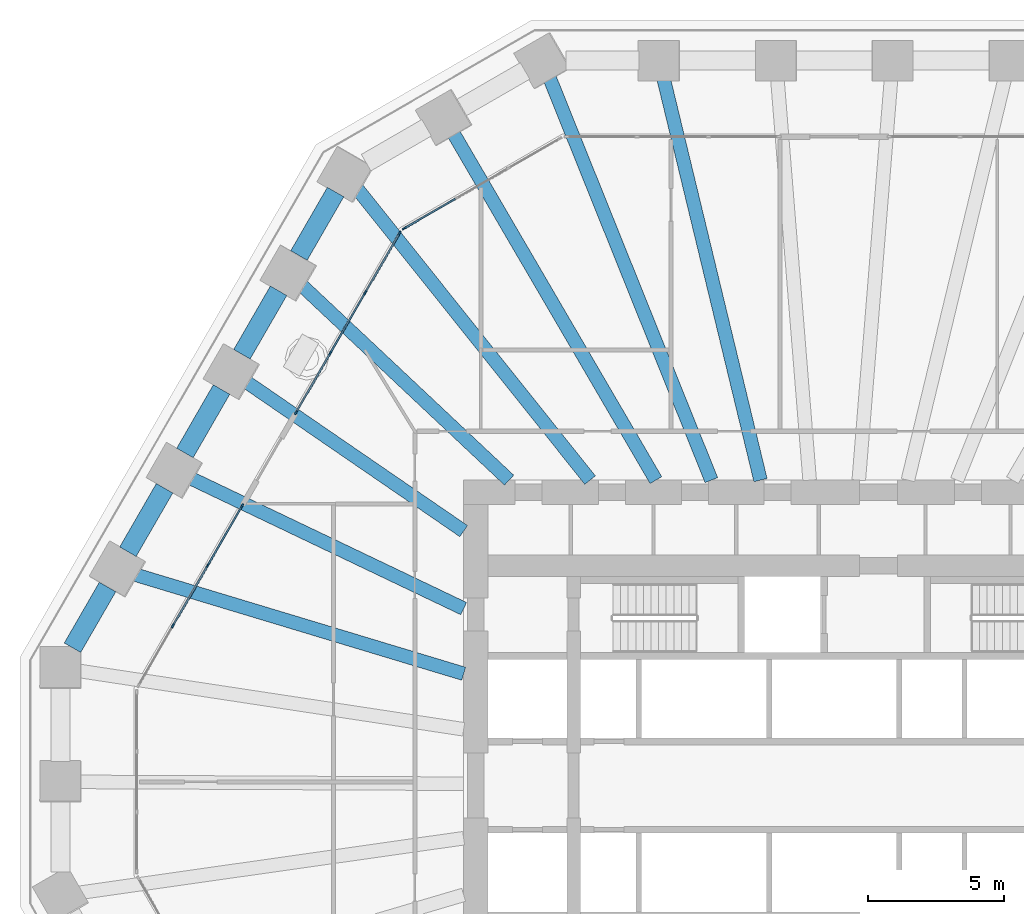
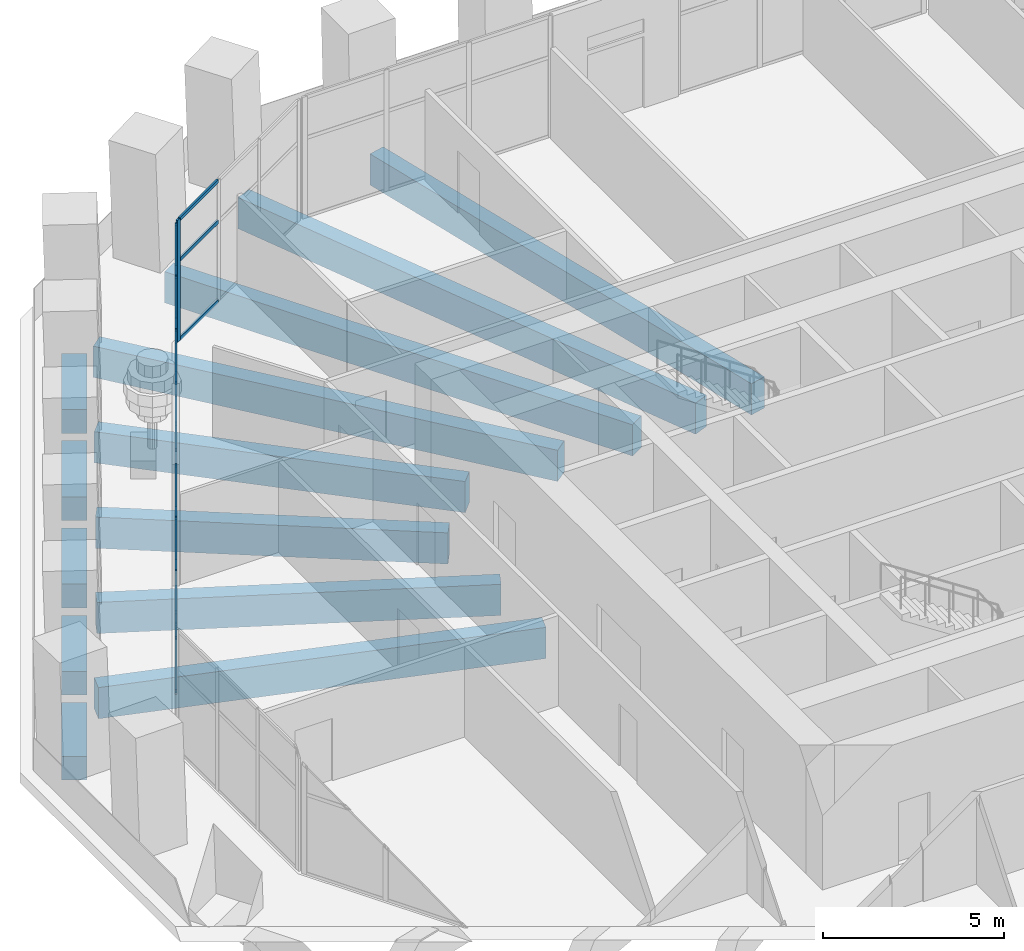
# One storey, part 6 of 18: 26 members, 13 beams, 3 elements without a shape of their own.
"""IFC4 building model written with IfcOpenShell, lengths in metres."""

from ifc_helpers import new_model, si_unit, direction, frame, origin, origin_2d, place, context, subcontext, project, spatial, rectangle, extrude, material, material_profile, profile_set, type_object, element, aggregate, save


model = new_model("IFC4")

# Units and contexts
model_context = context("Model", 3, precision=1e-05, world=origin(), true_north=direction((0.0, 1.0)))
body_context = subcontext(model_context, "Body", "Model", "MODEL_VIEW")
ifc_project = project(units=[si_unit("LENGTHUNIT", "METRE"), si_unit("AREAUNIT", "SQUARE_METRE"), si_unit("VOLUMEUNIT", "CUBIC_METRE"), si_unit("PLANEANGLEUNIT", "RADIAN"), si_unit("MASSUNIT", "GRAM", prefix="KILO")], contexts=[model_context])

# Site, building, storey
site_placement = place(None, origin())
site = spatial("IfcSite", under=ifc_project, at=site_placement, CompositionType="ELEMENT")
building_placement = place(site_placement, origin())
building = spatial("IfcBuilding", under=site, at=building_placement, Name="Frailejon Research Tower", CompositionType="ELEMENT")
storey_placement = place(building_placement, frame((0.0, 0.0, 19.0)))
storey = spatial("IfcBuildingStorey", under=building, at=storey_placement, Name="L04", CompositionType="ELEMENT", Elevation=19.0)

# Curtain wall, member
ifc_material_1 = material(Name="Aluminium curtain wall", Category="aluminium")
curtain_wall_type = type_object("IfcCurtainWallType", Name="Base zone unitised curtain wall system", PredefinedType="NOTDEFINED", material=ifc_material_1)
curtain_wall_1_placement = place(storey_placement, origin())
curtain_wall_1 = element("IfcCurtainWall", 1, at=curtain_wall_1_placement, inside=storey, type_object=curtain_wall_type, Name="Curtain wall L04", PredefinedType="NOTDEFINED")
ifc_material_2 = material(Name="Aluminium extrusion", Category="aluminium")
ifc_material_profile_1 = material_profile(ifc_material_2, rectangle(XDim=0.06005859375, YDim=0.159912109375, at=origin_2d()), Name="Base zone unitised curtain wall mullion 60x160")
ifc_profile_set_1 = profile_set([ifc_material_profile_1], Name="Aluminium extrusion")
member_type_1 = type_object("IfcMemberType", Name="Base zone unitised curtain wall mullion 60x160", PredefinedType="MULLION", material=ifc_profile_set_1)
member_1_placement = place(storey_placement, frame((-15.830322265625, 20.527587890625, 0.0), z_axis=(0.0, 0.0, 1.0), x_axis=(0.499998258782, -0.866026409075, 0.0)))
member_1 = element("IfcMember", 2, at=member_1_placement, type_object=member_type_1, Name="CW3-069 mullion 4", PredefinedType="MULLION", context=body_context, shape_type="SweptSolid", body=[
    extrude(rectangle(XDim=0.06005859375, YDim=0.159912109375, at=origin_2d()), origin(), (0.0, 0.0, 1.0), 4.10009765625),
])

# Curtain wall, members
curtain_wall_2_placement = place(storey_placement, origin())
curtain_wall_2 = element("IfcCurtainWall", 3, at=curtain_wall_2_placement, inside=storey, type_object=curtain_wall_type, Name="Curtain wall L04", PredefinedType="NOTDEFINED")
member_2_placement = place(storey_placement, frame((-16.0078125, 20.35009765625, 0.0), z_axis=(0.0, 0.0, 1.0), x_axis=(0.866027923165, -0.49999563628, 0.0)))
member_2 = element("IfcMember", 4, at=member_2_placement, type_object=member_type_1, Name="CW3-070 mullion 1", PredefinedType="MULLION", context=body_context, shape_type="SweptSolid", body=[
    extrude(rectangle(XDim=0.06005859375, YDim=0.159912109375, at=origin_2d()), origin(), (0.0, 0.0, 1.0), 4.10009765625),
])
member_3_placement = place(storey_placement, frame((-17.276123046875, 18.1533203125, 0.0), z_axis=(0.0, 0.0, 1.0), x_axis=(0.866027923165, -0.49999563628, 0.0)))
member_3 = element("IfcMember", 5, at=member_3_placement, type_object=member_type_1, Name="CW3-070 mullion 2", PredefinedType="MULLION", context=body_context, shape_type="SweptSolid", body=[
    extrude(rectangle(XDim=0.06005859375, YDim=0.159912109375, at=origin_2d()), origin(), (0.0, 0.0, 1.0), 4.10009765625),
])
member_4_placement = place(storey_placement, frame((-18.5595703125, 15.9306640625, 0.0), z_axis=(0.0, 0.0, 1.0), x_axis=(0.866027923165, -0.49999563628, 0.0)))
member_4 = element("IfcMember", 6, at=member_4_placement, type_object=member_type_1, Name="CW3-070 mullion 3", PredefinedType="MULLION", context=body_context, shape_type="SweptSolid", body=[
    extrude(rectangle(XDim=0.06005859375, YDim=0.159912109375, at=origin_2d()), origin(), (0.0, 0.0, 1.0), 4.10009765625),
])
member_5_placement = place(storey_placement, frame((-19.827880859375, 13.73388671875, 0.0), z_axis=(0.0, 0.0, 1.0), x_axis=(0.866027923165, -0.49999563628, 0.0)))
member_5 = element("IfcMember", 7, at=member_5_placement, type_object=member_type_1, Name="CW3-070 mullion 4", PredefinedType="MULLION", context=body_context, shape_type="SweptSolid", body=[
    extrude(rectangle(XDim=0.06005859375, YDim=0.159912109375, at=origin_2d()), origin(), (0.0, 0.0, 1.0), 4.10009765625),
])

curtain_wall_3_placement = place(storey_placement, origin())
curtain_wall_3 = element("IfcCurtainWall", 8, at=curtain_wall_3_placement, inside=storey, type_object=curtain_wall_type, Name="Curtain wall L04", PredefinedType="NOTDEFINED")
member_6_placement = place(storey_placement, frame((-21.8076171875, 10.304443359375, 0.0), z_axis=(0.0, 0.0, 1.0), x_axis=(0.866024676356, -0.50000125994, 0.0)))
member_6 = element("IfcMember", 9, at=member_6_placement, type_object=member_type_1, Name="CW3-071 mullion 1", PredefinedType="MULLION", context=body_context, shape_type="SweptSolid", body=[
    extrude(rectangle(XDim=0.06005859375, YDim=0.159912109375, at=origin_2d()), origin(), (0.0, 0.0, 1.0), 4.10009765625),
])
member_7_placement = place(storey_placement, frame((-23.075927734375, 8.107666015625, 0.0), z_axis=(0.0, 0.0, 1.0), x_axis=(0.866024676356, -0.50000125994, 0.0)))
member_7 = element("IfcMember", 10, at=member_7_placement, type_object=member_type_1, Name="CW3-071 mullion 2", PredefinedType="MULLION", context=body_context, shape_type="SweptSolid", body=[
    extrude(rectangle(XDim=0.06005859375, YDim=0.159912109375, at=origin_2d()), origin(), (0.0, 0.0, 1.0), 4.10009765625),
])
member_8_placement = place(storey_placement, frame((-24.359375, 5.885009765625, 0.0), z_axis=(0.0, 0.0, 1.0), x_axis=(0.866024676356, -0.50000125994, 0.0)))
member_8 = element("IfcMember", 11, at=member_8_placement, type_object=member_type_1, Name="CW3-071 mullion 3", PredefinedType="MULLION", context=body_context, shape_type="SweptSolid", body=[
    extrude(rectangle(XDim=0.06005859375, YDim=0.159912109375, at=origin_2d()), origin(), (0.0, 0.0, 1.0), 4.10009765625),
])

# Member
ifc_material_3 = material(Name="Aluminium extrusion", Category="aluminium")
ifc_material_profile_2 = material_profile(ifc_material_3, rectangle(XDim=0.06005859375, YDim=0.1201171875, at=origin_2d()), Name="Base zone unitised curtain wall transom 60x120")
ifc_profile_set_2 = profile_set([ifc_material_profile_2], Name="Aluminium extrusion")
member_type_2 = type_object("IfcMemberType", Name="Base zone unitised curtain wall transom 60x120", PredefinedType="USERDEFINED", material=ifc_profile_set_2)
member_9_placement = place(storey_placement, frame((-13.95556640625, 21.610107421875, 0.030029296875), z_axis=(-0.866038951244, -0.499976534377, 0.0), x_axis=(0.499976534377, -0.866038951244, 0.0)))
member_9 = element("IfcMember", 12, at=member_9_placement, type_object=member_type_2, Name="CW3-069 transom 3.1", ObjectType="TRANSOM", PredefinedType="USERDEFINED", context=body_context, shape_type="SweptSolid", body=[
    extrude(rectangle(XDim=0.06005859375, YDim=0.1201171875, at=origin_2d()), origin(), (0.0, 0.0, 1.0), 2.134765625),
])

member_10_placement = place(storey_placement, frame((-13.95556640625, 21.610107421875, 2.699951171875), z_axis=(-0.866038951244, -0.499976534377, 0.0), x_axis=(0.499976534377, -0.866038951244, 0.0)))
member_10 = element("IfcMember", 13, at=member_10_placement, type_object=member_type_2, Name="CW3-069 transom 3.2", ObjectType="TRANSOM", PredefinedType="USERDEFINED", context=body_context, shape_type="SweptSolid", body=[
    extrude(rectangle(XDim=0.06005859375, YDim=0.1201171875, at=origin_2d()), origin(), (0.0, 0.0, 1.0), 2.134765625),
])

member_11_placement = place(storey_placement, frame((-13.95556640625, 21.610107421875, 4.070068359375), z_axis=(-0.866038951244, -0.499976534377, 0.0), x_axis=(0.499976534377, -0.866038951244, 0.0)))
member_11 = element("IfcMember", 14, at=member_11_placement, type_object=member_type_2, Name="CW3-069 transom 3.3", ObjectType="TRANSOM", PredefinedType="USERDEFINED", context=body_context, shape_type="SweptSolid", body=[
    extrude(rectangle(XDim=0.06005859375, YDim=0.1201171875, at=origin_2d()), origin(), (0.0, 0.0, 1.0), 2.134765625),
])

aggregate(curtain_wall_1, [member_1, member_9, member_10, member_11])

member_12_placement = place(storey_placement, frame((-16.02294921875, 20.32421875, 0.030029296875), z_axis=(-0.499955681623, -0.866050989499, 0.0), x_axis=(0.866050989499, -0.499955681623, 0.0)))
member_12 = element("IfcMember", 15, at=member_12_placement, type_object=member_type_2, Name="CW3-070 transom 1.1", ObjectType="TRANSOM", PredefinedType="USERDEFINED", context=body_context, shape_type="SweptSolid", body=[
    extrude(rectangle(XDim=0.06005859375, YDim=0.1201171875, at=origin_2d()), origin(), (0.0, 0.0, 1.0), 2.476806640625),
])

member_13_placement = place(storey_placement, frame((-16.02294921875, 20.32421875, 2.699951171875), z_axis=(-0.499955681623, -0.866050989499, 0.0), x_axis=(0.866050989499, -0.499955681623, 0.0)))
member_13 = element("IfcMember", 16, at=member_13_placement, type_object=member_type_2, Name="CW3-070 transom 1.2", ObjectType="TRANSOM", PredefinedType="USERDEFINED", context=body_context, shape_type="SweptSolid", body=[
    extrude(rectangle(XDim=0.06005859375, YDim=0.1201171875, at=origin_2d()), origin(), (0.0, 0.0, 1.0), 2.476806640625),
])

member_14_placement = place(storey_placement, frame((-16.02294921875, 20.32421875, 4.070068359375), z_axis=(-0.499955681623, -0.866050989499, 0.0), x_axis=(0.866050989499, -0.499955681623, 0.0)))
member_14 = element("IfcMember", 17, at=member_14_placement, type_object=member_type_2, Name="CW3-070 transom 1.3", ObjectType="TRANSOM", PredefinedType="USERDEFINED", context=body_context, shape_type="SweptSolid", body=[
    extrude(rectangle(XDim=0.06005859375, YDim=0.1201171875, at=origin_2d()), origin(), (0.0, 0.0, 1.0), 2.476806640625),
])

member_15_placement = place(storey_placement, frame((-17.291259765625, 18.12744140625, 0.030029296875), z_axis=(-0.499941663064, -0.866059082011, 0.0), x_axis=(0.866059082011, -0.499941663064, 0.0)))
member_15 = element("IfcMember", 18, at=member_15_placement, type_object=member_type_2, Name="CW3-070 transom 2.1", ObjectType="TRANSOM", PredefinedType="USERDEFINED", context=body_context, shape_type="SweptSolid", body=[
    extrude(rectangle(XDim=0.06005859375, YDim=0.1201171875, at=origin_2d()), origin(), (0.0, 0.0, 1.0), 2.506591796875),
])

member_16_placement = place(storey_placement, frame((-17.291259765625, 18.12744140625, 2.699951171875), z_axis=(-0.499941663064, -0.866059082011, 0.0), x_axis=(0.866059082011, -0.499941663064, 0.0)))
member_16 = element("IfcMember", 19, at=member_16_placement, type_object=member_type_2, Name="CW3-070 transom 2.2", ObjectType="TRANSOM", PredefinedType="USERDEFINED", context=body_context, shape_type="SweptSolid", body=[
    extrude(rectangle(XDim=0.06005859375, YDim=0.1201171875, at=origin_2d()), origin(), (0.0, 0.0, 1.0), 2.506591796875),
])

member_17_placement = place(storey_placement, frame((-17.291259765625, 18.12744140625, 4.070068359375), z_axis=(-0.499941663064, -0.866059082011, 0.0), x_axis=(0.866059082011, -0.499941663064, 0.0)))
member_17 = element("IfcMember", 20, at=member_17_placement, type_object=member_type_2, Name="CW3-070 transom 2.3", ObjectType="TRANSOM", PredefinedType="USERDEFINED", context=body_context, shape_type="SweptSolid", body=[
    extrude(rectangle(XDim=0.06005859375, YDim=0.1201171875, at=origin_2d()), origin(), (0.0, 0.0, 1.0), 2.506591796875),
])

member_18_placement = place(storey_placement, frame((-18.574462890625, 15.904541015625, 0.030029296875), z_axis=(-0.499998364937, -0.866026347786, 0.0), x_axis=(0.866026347786, -0.499998364937, 0.0)))
member_18 = element("IfcMember", 21, at=member_18_placement, type_object=member_type_2, Name="CW3-070 transom 3.1", ObjectType="TRANSOM", PredefinedType="USERDEFINED", context=body_context, shape_type="SweptSolid", body=[
    extrude(rectangle(XDim=0.06005859375, YDim=0.1201171875, at=origin_2d()), origin(), (0.0, 0.0, 1.0), 2.4765625),
])

member_19_placement = place(storey_placement, frame((-18.574462890625, 15.904541015625, 2.699951171875), z_axis=(-0.499998364937, -0.866026347786, 0.0), x_axis=(0.866026347786, -0.499998364937, 0.0)))
member_19 = element("IfcMember", 22, at=member_19_placement, type_object=member_type_2, Name="CW3-070 transom 3.2", ObjectType="TRANSOM", PredefinedType="USERDEFINED", context=body_context, shape_type="SweptSolid", body=[
    extrude(rectangle(XDim=0.06005859375, YDim=0.1201171875, at=origin_2d()), origin(), (0.0, 0.0, 1.0), 2.4765625),
])

member_20_placement = place(storey_placement, frame((-18.574462890625, 15.904541015625, 4.070068359375), z_axis=(-0.499998364937, -0.866026347786, 0.0), x_axis=(0.866026347786, -0.499998364937, 0.0)))
member_20 = element("IfcMember", 23, at=member_20_placement, type_object=member_type_2, Name="CW3-070 transom 3.3", ObjectType="TRANSOM", PredefinedType="USERDEFINED", context=body_context, shape_type="SweptSolid", body=[
    extrude(rectangle(XDim=0.06005859375, YDim=0.1201171875, at=origin_2d()), origin(), (0.0, 0.0, 1.0), 2.4765625),
])

aggregate(curtain_wall_2, [member_2, member_3, member_4, member_5, member_12, member_13, member_14, member_15, member_16, member_17, member_18, member_19, member_20])

member_21_placement = place(storey_placement, frame((-21.82275390625, 10.2783203125, 0.030029296875), z_axis=(-0.499998364937, -0.866026347786, 0.0), x_axis=(0.866026347786, -0.499998364937, 0.0)))
member_21 = element("IfcMember", 24, at=member_21_placement, type_object=member_type_2, Name="CW3-071 transom 1.1", ObjectType="TRANSOM", PredefinedType="USERDEFINED", context=body_context, shape_type="SweptSolid", body=[
    extrude(rectangle(XDim=0.06005859375, YDim=0.1201171875, at=origin_2d()), origin(), (0.0, 0.0, 1.0), 2.4765625),
])

member_22_placement = place(storey_placement, frame((-21.82275390625, 10.2783203125, 2.699951171875), z_axis=(-0.499998364937, -0.866026347786, 0.0), x_axis=(0.866026347786, -0.499998364937, 0.0)))
member_22 = element("IfcMember", 25, at=member_22_placement, type_object=member_type_2, Name="CW3-071 transom 1.2", ObjectType="TRANSOM", PredefinedType="USERDEFINED", context=body_context, shape_type="SweptSolid", body=[
    extrude(rectangle(XDim=0.06005859375, YDim=0.1201171875, at=origin_2d()), origin(), (0.0, 0.0, 1.0), 2.4765625),
])

member_23_placement = place(storey_placement, frame((-21.82275390625, 10.2783203125, 4.070068359375), z_axis=(-0.499998364937, -0.866026347786, 0.0), x_axis=(0.866026347786, -0.499998364937, 0.0)))
member_23 = element("IfcMember", 26, at=member_23_placement, type_object=member_type_2, Name="CW3-071 transom 1.3", ObjectType="TRANSOM", PredefinedType="USERDEFINED", context=body_context, shape_type="SweptSolid", body=[
    extrude(rectangle(XDim=0.06005859375, YDim=0.1201171875, at=origin_2d()), origin(), (0.0, 0.0, 1.0), 2.4765625),
])

member_24_placement = place(storey_placement, frame((-23.091064453125, 8.081787109375, 0.030029296875), z_axis=(-0.499941663064, -0.866059082011, 0.0), x_axis=(0.866059082011, -0.499941663064, 0.0)))
member_24 = element("IfcMember", 27, at=member_24_placement, type_object=member_type_2, Name="CW3-071 transom 2.1", ObjectType="TRANSOM", PredefinedType="USERDEFINED", context=body_context, shape_type="SweptSolid", body=[
    extrude(rectangle(XDim=0.06005859375, YDim=0.1201171875, at=origin_2d()), origin(), (0.0, 0.0, 1.0), 2.506591796875),
])

member_25_placement = place(storey_placement, frame((-23.091064453125, 8.081787109375, 2.699951171875), z_axis=(-0.499941663064, -0.866059082011, 0.0), x_axis=(0.866059082011, -0.499941663064, 0.0)))
member_25 = element("IfcMember", 28, at=member_25_placement, type_object=member_type_2, Name="CW3-071 transom 2.2", ObjectType="TRANSOM", PredefinedType="USERDEFINED", context=body_context, shape_type="SweptSolid", body=[
    extrude(rectangle(XDim=0.06005859375, YDim=0.1201171875, at=origin_2d()), origin(), (0.0, 0.0, 1.0), 2.506591796875),
])

member_26_placement = place(storey_placement, frame((-23.091064453125, 8.081787109375, 4.070068359375), z_axis=(-0.499941663064, -0.866059082011, 0.0), x_axis=(0.866059082011, -0.499941663064, 0.0)))
member_26 = element("IfcMember", 29, at=member_26_placement, type_object=member_type_2, Name="CW3-071 transom 2.3", ObjectType="TRANSOM", PredefinedType="USERDEFINED", context=body_context, shape_type="SweptSolid", body=[
    extrude(rectangle(XDim=0.06005859375, YDim=0.1201171875, at=origin_2d()), origin(), (0.0, 0.0, 1.0), 2.506591796875),
])

aggregate(curtain_wall_3, [member_6, member_7, member_8, member_21, member_22, member_23, member_24, member_25, member_26])

# Beams
ifc_material_4 = material(Name="Concrete C60/75", Category="concrete")
ifc_material_profile_3 = material_profile(ifc_material_4, rectangle(XDim=0.5, YDim=1.050048828125, at=origin_2d()), Name="Girder 500x1050")
ifc_profile_set_3 = profile_set([ifc_material_profile_3], Name="Concrete C60/75")
beam_type_1 = type_object("IfcBeamType", Name="Girder 500x1050", PredefinedType="BEAM", material=ifc_profile_set_3)
beam_1_placement = place(storey_placement, frame((-6.2978515625, 26.095703125, -0.824951171875), z_axis=(0.234598339938, -0.972092392161, 0.0), x_axis=(0.972092392161, 0.234598339938, 0.0)))
element("IfcBeam", 30, at=beam_1_placement, inside=storey, type_object=beam_type_1, Name="Girder 500x1050", PredefinedType="BEAM", context=body_context, shape_type="SweptSolid", body=[
    extrude(rectangle(XDim=0.5, YDim=1.050048828125, at=origin_2d()), origin(), (0.0, 0.0, 1.0), 15.27197265625),
])
beam_2_placement = place(storey_placement, frame((-10.5126953125, 26.136474609375, -0.824951171875), z_axis=(0.373160773331, -0.927766693327, 0.0), x_axis=(0.927766693327, 0.373160773331, 0.0)))
element("IfcBeam", 31, at=beam_2_placement, inside=storey, type_object=beam_type_1, Name="Girder 500x1050", PredefinedType="BEAM", context=body_context, shape_type="SweptSolid", body=[
    extrude(rectangle(XDim=0.5, YDim=1.050048828125, at=origin_2d()), origin(), (0.0, 0.0, 1.0), 16.04541015625),
])
beam_3_placement = place(storey_placement, frame((-14.063720703125, 24.087890625, -0.824951171875), z_axis=(0.504214078506, -0.863578695335, 0.0), x_axis=(0.863578695335, 0.504214078506, 0.0)))
element("IfcBeam", 32, at=beam_3_placement, inside=storey, type_object=beam_type_1, Name="Girder 500x1050", PredefinedType="BEAM", context=body_context, shape_type="SweptSolid", body=[
    extrude(rectangle(XDim=0.5, YDim=1.050048828125, at=origin_2d()), origin(), (0.0, 0.0, 1.0), 14.865966796875),
])
beam_4_placement = place(storey_placement, frame((-17.58349609375, 22.00048828125, -0.824951171875), z_axis=(0.62433585794, -0.781156025702, 0.0), x_axis=(0.781156025702, 0.62433585794, 0.0)))
element("IfcBeam", 33, at=beam_4_placement, inside=storey, type_object=beam_type_1, Name="Girder 500x1050", PredefinedType="BEAM", context=body_context, shape_type="SweptSolid", body=[
    extrude(rectangle(XDim=0.5, YDim=1.050048828125, at=origin_2d()), origin(), (0.0, 0.0, 1.0), 13.76220703125),
])
beam_5_placement = place(storey_placement, frame((-19.640380859375, 18.4501953125, -0.824951171875), z_axis=(0.728851231662, -0.684672098238, 0.0), x_axis=(0.684672098238, 0.728851231662, 0.0)))
element("IfcBeam", 34, at=beam_5_placement, inside=storey, type_object=beam_type_1, Name="Girder 500x1050", PredefinedType="BEAM", context=body_context, shape_type="SweptSolid", body=[
    extrude(rectangle(XDim=0.5, YDim=1.050048828125, at=origin_2d()), origin(), (0.0, 0.0, 1.0), 10.516357421875),
])
beam_6_placement = place(storey_placement, frame((-21.696044921875, 14.89697265625, -0.824951171875), z_axis=(0.824379696089, -0.566037204321, 0.0), x_axis=(0.566037204321, 0.824379696089, 0.0)))
element("IfcBeam", 35, at=beam_6_placement, inside=storey, type_object=beam_type_1, Name="Girder 500x1050", PredefinedType="BEAM", context=body_context, shape_type="SweptSolid", body=[
    extrude(rectangle(XDim=0.5, YDim=1.050048828125, at=origin_2d()), origin(), (0.0, 0.0, 1.0), 9.76025390625),
])
beam_7_placement = place(storey_placement, frame((-23.7490234375, 11.341064453125, -0.824951171875), z_axis=(0.902386580591, -0.430927440724, 0.0), x_axis=(0.430927440724, 0.902386580591, 0.0)))
element("IfcBeam", 36, at=beam_7_placement, inside=storey, type_object=beam_type_1, Name="Girder 500x1050", PredefinedType="BEAM", context=body_context, shape_type="SweptSolid", body=[
    extrude(rectangle(XDim=0.5, YDim=1.050048828125, at=origin_2d()), origin(), (0.0, 0.0, 1.0), 11.191650390625),
])
beam_8_placement = place(storey_placement, frame((-25.798583984375, 7.783935546875, -0.824951171875), z_axis=(0.957371288259, -0.288860202205, 0.0), x_axis=(0.288860202205, 0.957371288259, 0.0)))
element("IfcBeam", 37, at=beam_8_placement, inside=storey, type_object=beam_type_1, Name="Girder 500x1050", PredefinedType="BEAM", context=body_context, shape_type="SweptSolid", body=[
    extrude(rectangle(XDim=0.5, YDim=1.050048828125, at=origin_2d()), origin(), (0.0, 0.0, 1.0), 12.689697265625),
])
ifc_material_5 = material(Name="Concrete C60/75", Category="concrete")
ifc_material_profile_4 = material_profile(ifc_material_5, rectangle(XDim=0.699951171875, YDim=0.800048828125, at=origin_2d()), Name="Spandrel 700x800")
ifc_profile_set_4 = profile_set([ifc_material_profile_4], Name="Concrete C60/75")
beam_type_2 = type_object("IfcBeamType", Name="Spandrel 700x800", PredefinedType="BEAM", material=ifc_profile_set_4)
beam_9_placement = place(storey_placement, frame((-18.36767578125, 21.86279296875, -0.75), z_axis=(-0.499980770555, -0.866036505625, 0.0), x_axis=(0.866036505625, -0.499980770555, 0.0)))
element("IfcBeam", 38, at=beam_9_placement, inside=storey, type_object=beam_type_2, Name="Spandrel 700x800", PredefinedType="BEAM", context=body_context, shape_type="SweptSolid", body=[
    extrude(rectangle(XDim=0.699951171875, YDim=0.800048828125, at=origin_2d()), origin(), (0.0, 0.0, 1.0), 2.69970703125),
])
beam_10_placement = place(storey_placement, frame((-20.467529296875, 18.2255859375, -0.75), z_axis=(-0.50000943426, -0.866019956843, 0.0), x_axis=(0.866019956843, -0.50000943426, 0.0)))
element("IfcBeam", 39, at=beam_10_placement, inside=storey, type_object=beam_type_2, Name="Spandrel 700x800", PredefinedType="BEAM", context=body_context, shape_type="SweptSolid", body=[
    extrude(rectangle(XDim=0.699951171875, YDim=0.800048828125, at=origin_2d()), origin(), (0.0, 0.0, 1.0), 2.7001953125),
])
for number, where, z_axis, x_axis, name in (
    (40, (-22.567626953125, 14.58837890625, -0.75), (-0.4999416173, -0.866059108428, 0.0), (0.866059108428, -0.4999416173, 0.0), "Spandrel 700x800"),
    (41, (-24.66748046875, 10.950927734375, -0.75), (-0.500048589285, -0.86599734893, 0.0), (0.86599734893, -0.500048589285, 0.0), "Spandrel 700x800"),
):
    element("IfcBeam", number, at=place(storey_placement, frame(where, z_axis=z_axis, x_axis=x_axis)), inside=storey, type_object=beam_type_2, Name=name, PredefinedType="BEAM", context=body_context, shape_type="SweptSolid", body=[
        extrude(rectangle(XDim=0.699951171875, YDim=0.800048828125, at=origin_2d()), origin(), (0.0, 0.0, 1.0), 2.699951171875),
    ])
beam_11_placement = place(storey_placement, frame((-26.767578125, 7.313720703125, -0.75), z_axis=(-0.499959617396, -0.866048717436, 0.0), x_axis=(0.866048717436, -0.499959617396, 0.0)))
element("IfcBeam", 42, at=beam_11_placement, inside=storey, type_object=beam_type_2, Name="Spandrel 700x800", PredefinedType="BEAM", context=body_context, shape_type="SweptSolid", body=[
    extrude(rectangle(XDim=0.699951171875, YDim=0.800048828125, at=origin_2d()), origin(), (0.0, 0.0, 1.0), 2.584228515625),
])

save(model, "model.ifc")
